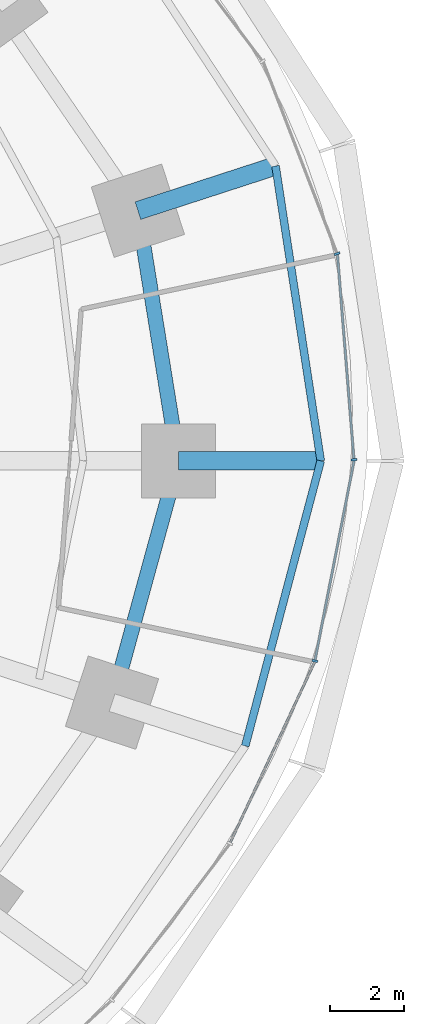
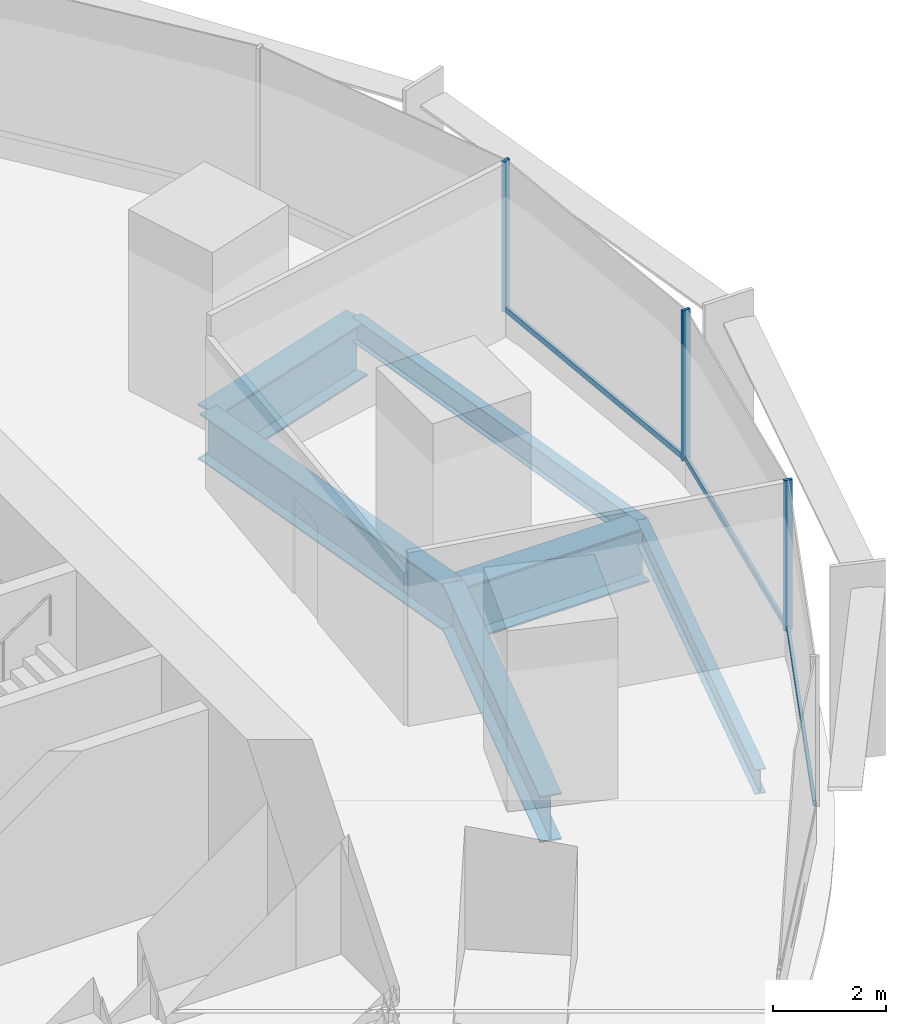
# One storey, part 6 of 15: 6 beams, 6 members, 2 elements without a shape of their own.
"""IFC4 building model written with IfcOpenShell, lengths in metres."""

from ifc_helpers import new_model, si_unit, direction, frame, origin, origin_2d, place, context, subcontext, project, spatial, rectangle, i_section, extrude, material, material_profile, profile_set, type_object, element, aggregate, save


model = new_model("IFC4")

# Units and contexts
model_context = context("Model", 3, precision=1e-05, world=origin(), true_north=direction((0.0, 1.0)))
body_context = subcontext(model_context, "Body", "Model", "MODEL_VIEW")
ifc_project = project(units=[si_unit("LENGTHUNIT", "METRE"), si_unit("AREAUNIT", "SQUARE_METRE"), si_unit("VOLUMEUNIT", "CUBIC_METRE"), si_unit("PLANEANGLEUNIT", "RADIAN"), si_unit("MASSUNIT", "GRAM", prefix="KILO")], contexts=[model_context])

# Site, building, storey
site_placement = place(None, origin())
site = spatial("IfcSite", under=ifc_project, at=site_placement, CompositionType="ELEMENT")
building_placement = place(site_placement, origin())
building = spatial("IfcBuilding", under=site, at=building_placement, Name="Marramba Exchange Tower", CompositionType="ELEMENT")
storey_placement = place(building_placement, frame((0.0, 0.0, 78.39990234375)))
storey = spatial("IfcBuildingStorey", under=building, at=storey_placement, Name="L18", CompositionType="ELEMENT", Elevation=78.39990234375)

# Beams
ifc_material_1 = material(Name="Steel AS/NZS 3679.2 grade 300", Category="steel")
ifc_material_profile_1 = material_profile(ifc_material_1, i_section(OverallWidth=0.5, OverallDepth=1.199951171875, WebThickness=0.01611328125, FlangeThickness=0.0400390625, at=origin_2d()), Name="1200WB455")
ifc_profile_set_1 = profile_set([ifc_material_profile_1], Name="Steel AS/NZS 3679.2 grade 300")
beam_type_1 = type_object("IfcBeamType", Name="Cantilever girder 1200WB455", PredefinedType="BEAM", material=ifc_profile_set_1)
beam_1_placement = place(storey_placement, frame((21.89990234375, 0.0, -0.760009765625), z_axis=(1.0, 0.0, 0.0), x_axis=(0.0, 1.0, 0.0)))
element("IfcBeam", 1, at=beam_1_placement, inside=storey, type_object=beam_type_1, Name="Cantilever girder L18 TC01", PredefinedType="BEAM", context=body_context, shape_type="SweptSolid", body=[
    extrude(i_section(OverallWidth=0.5, OverallDepth=1.199951171875, WebThickness=0.01611328125, FlangeThickness=0.0400390625, at=origin_2d()), origin(), (0.0, 0.0, 1.0), 3.85009765625),
])
beam_2_placement = place(storey_placement, frame((20.808349609375, 6.760986328125, -0.760009765625), z_axis=(0.951058833549, 0.309009862508, 0.0), x_axis=(-0.309009862508, 0.951058833549, 0.0)))
element("IfcBeam", 2, at=beam_2_placement, inside=storey, type_object=beam_type_1, Name="Cantilever girder L18 TC02", PredefinedType="BEAM", context=body_context, shape_type="SweptSolid", body=[
    extrude(i_section(OverallWidth=0.5, OverallDepth=1.199951171875, WebThickness=0.01611328125, FlangeThickness=0.0400390625, at=origin_2d()), origin(), (0.0, 0.0, 1.0), 3.91162109375),
])
ifc_material_profile_2 = material_profile(ifc_material_1, i_section(OverallWidth=0.39990234375, OverallDepth=1.0, WebThickness=0.01611328125, FlangeThickness=0.031982421875, at=origin_2d()), Name="1000WB322")
ifc_profile_set_2 = profile_set([ifc_material_profile_2], Name="Steel AS/NZS 3679.2 grade 300")
beam_type_2 = type_object("IfcBeamType", Name="Ring beam 1000WB322", PredefinedType="SPANDREL", material=ifc_profile_set_2)
beam_3_placement = place(storey_placement, frame((21.89990234375, 0.0, -0.659912109375), z_axis=(-0.159384865399, 0.987216523708, 0.0), x_axis=(-0.987216523708, -0.159384865399, 0.0)))
element("IfcBeam", 3, at=beam_3_placement, inside=storey, type_object=beam_type_2, Name="Ring beam L18 TC01-TC02", PredefinedType="SPANDREL", context=body_context, shape_type="SweptSolid", body=[
    extrude(i_section(OverallWidth=0.39990234375, OverallDepth=1.0, WebThickness=0.01611328125, FlangeThickness=0.031982421875, at=origin_2d()), origin(), (0.0, 0.0, 1.0), 6.8486328125),
])
beam_4_placement = place(storey_placement, frame((20.109375, -6.533935546875, -0.659912109375), z_axis=(0.264291166956, 0.964442937176, 0.0), x_axis=(-0.964442937176, 0.264291166956, 0.0)))
element("IfcBeam", 4, at=beam_4_placement, inside=storey, type_object=beam_type_2, Name="Ring beam L18 TC20-TC01", PredefinedType="SPANDREL", context=body_context, shape_type="SweptSolid", body=[
    extrude(i_section(OverallWidth=0.39990234375, OverallDepth=1.0, WebThickness=0.01611328125, FlangeThickness=0.031982421875, at=origin_2d()), origin(), (0.0, 0.0, 1.0), 6.77490234375),
])
ifc_material_2 = material(Name="Steel AS/NZS 3679.1 grade 300", Category="steel")
ifc_material_profile_3 = material_profile(ifc_material_2, i_section(OverallWidth=0.208984375, OverallDepth=0.528076171875, WebThickness=0.009521484375, FlangeThickness=0.01318359375, FilletRadius=0.013916015625, at=origin_2d()), Name="530UB82.0")
ifc_profile_set_3 = profile_set([ifc_material_profile_3], Name="Steel AS/NZS 3679.1 grade 300")
beam_type_3 = type_object("IfcBeamType", Name="Slab edge beam 530UB82.0", PredefinedType="SPANDREL", material=ifc_profile_set_3)
beam_5_placement = place(storey_placement, frame((25.75, 0.0, -0.423828125), z_axis=(-0.151490591645, 0.988458699513, 0.0), x_axis=(-0.988458699513, -0.151490591645, 0.0)))
element("IfcBeam", 5, at=beam_5_placement, inside=storey, type_object=beam_type_3, Name="Slab edge beam L18 TC01-TC02", PredefinedType="SPANDREL", context=body_context, shape_type="SweptSolid", body=[
    extrude(i_section(OverallWidth=0.208984375, OverallDepth=0.528076171875, WebThickness=0.009521484375, FlangeThickness=0.01318359375, FilletRadius=0.013916015625, at=origin_2d()), origin(), (0.0, 0.0, 1.0), 8.062744140625),
])
beam_6_placement = place(storey_placement, frame((23.709716796875, -7.703857421875, -0.423828125), z_axis=(0.25601296674, 0.966673347549, 0.0), x_axis=(-0.966673347549, 0.25601296674, 0.0)))
element("IfcBeam", 6, at=beam_6_placement, inside=storey, type_object=beam_type_3, Name="Slab edge beam L18 TC20-TC01", PredefinedType="SPANDREL", context=body_context, shape_type="SweptSolid", body=[
    extrude(i_section(OverallWidth=0.208984375, OverallDepth=0.528076171875, WebThickness=0.009521484375, FlangeThickness=0.01318359375, FilletRadius=0.013916015625, at=origin_2d()), origin(), (0.0, 0.0, 1.0), 7.969482421875),
])

# Curtain wall, members
ifc_material_3 = material(Name="Aluminium framing, bronze anodised", Category="aluminium")
curtain_wall_type = type_object("IfcCurtainWallType", Name="Trading floor ribbon curtain wall", PredefinedType="USERDEFINED", material=ifc_material_3)
curtain_wall_1_placement = place(storey_placement, origin())
curtain_wall_1 = element("IfcCurtainWall", 7, at=curtain_wall_1_placement, inside=storey, type_object=curtain_wall_type, Name="Curtain wall CW3 L18 F01-F05", ObjectType="RIBBON CURTAIN WALL", PredefinedType="USERDEFINED")
ifc_material_4 = material(Name="Aluminium mullion, bronze anodised", Category="aluminium")
ifc_material_profile_4 = material_profile(ifc_material_4, rectangle(XDim=0.159912109375, YDim=0.06005859375, at=origin_2d()), Name="CW3 mullion 60x160")
ifc_profile_set_4 = profile_set([ifc_material_profile_4], Name="Aluminium mullion, bronze anodised")
member_type_1 = type_object("IfcMemberType", Name="Trading floor ribbon curtain wall mullion", PredefinedType="MULLION", material=ifc_profile_set_4)
member_1_placement = place(storey_placement, frame((26.647705078125, 0.02978515625, 0.800048828125), z_axis=(0.0, 0.0, 1.0), x_axis=(-0.996772736434, -0.080275225953, 0.0)))
member_1 = element("IfcMember", 8, at=member_1_placement, type_object=member_type_1, Name="CW3 mullion 1", PredefinedType="MULLION", context=body_context, shape_type="SweptSolid", body=[
    extrude(rectangle(XDim=0.159912109375, YDim=0.06005859375, at=origin_2d()), origin(), (0.0, 0.0, 1.0), 3.239990234375),
])
member_2_placement = place(storey_placement, frame((26.190673828125, 5.597412109375, 0.800048828125), z_axis=(0.0, 0.0, 1.0), x_axis=(-0.933135256626, -0.359525510698, 0.0)))
member_2 = element("IfcMember", 9, at=member_2_placement, type_object=member_type_1, Name="CW3 mullion 1", PredefinedType="MULLION", context=body_context, shape_type="SweptSolid", body=[
    extrude(rectangle(XDim=0.159912109375, YDim=0.06005859375, at=origin_2d()), origin(), (0.0, 0.0, 1.0), 3.239990234375),
])

# Curtain wall, member
curtain_wall_2_placement = place(storey_placement, origin())
curtain_wall_2 = element("IfcCurtainWall", 10, at=curtain_wall_2_placement, inside=storey, type_object=curtain_wall_type, Name="Curtain wall CW3 L18 F26-F30", ObjectType="RIBBON CURTAIN WALL", PredefinedType="USERDEFINED")
member_3_placement = place(storey_placement, frame((25.59033203125, -5.40869140625, 0.800048828125), z_axis=(0.0, 0.0, 1.0), x_axis=(-0.981346261612, 0.1922485756, 0.0)))
member_3 = element("IfcMember", 11, at=member_3_placement, type_object=member_type_1, Name="CW3 mullion 1", PredefinedType="MULLION", context=body_context, shape_type="SweptSolid", body=[
    extrude(rectangle(XDim=0.159912109375, YDim=0.06005859375, at=origin_2d()), origin(), (0.0, 0.0, 1.0), 3.239990234375),
])

# Member
ifc_material_5 = material(Name="Aluminium transom, bronze anodised", Category="aluminium")
ifc_material_profile_5 = material_profile(ifc_material_5, rectangle(XDim=0.06005859375, YDim=0.1201171875, at=origin_2d()), Name="CW3 transom 60x120")
ifc_profile_set_5 = profile_set([ifc_material_profile_5], Name="Aluminium transom, bronze anodised")
member_type_2 = type_object("IfcMemberType", Name="Trading floor ribbon curtain wall transom", PredefinedType="USERDEFINED", material=ifc_profile_set_5)
member_4_placement = place(storey_placement, frame((26.645263671875, 0.059814453125, 0.830078125), z_axis=(-0.080299960686, 0.99677074411, 0.0), x_axis=(-0.99677074411, -0.080299960686, 0.0)))
member_4 = element("IfcMember", 12, at=member_4_placement, type_object=member_type_2, Name="CW3 sill transom", ObjectType="TRANSOM", PredefinedType="USERDEFINED", context=body_context, shape_type="SweptSolid", body=[
    extrude(rectangle(XDim=0.06005859375, YDim=0.1201171875, at=origin_2d()), origin(), (0.0, 0.0, 1.0), 5.52734375),
])

aggregate(curtain_wall_1, [member_1, member_4, member_2])

member_5_placement = place(storey_placement, frame((23.306640625, -10.31103515625, 0.830078125), z_axis=(0.423511514213, 0.905890720412, 0.0), x_axis=(-0.905890720412, 0.423511514213, 0.0)))
member_5 = element("IfcMember", 13, at=member_5_placement, type_object=member_type_2, Name="CW3 sill transom", ObjectType="TRANSOM", PredefinedType="USERDEFINED", context=body_context, shape_type="SweptSolid", body=[
    extrude(rectangle(XDim=0.06005859375, YDim=0.1201171875, at=origin_2d()), origin(), (0.0, 0.0, 1.0), 5.37890625),
])

member_6_placement = place(storey_placement, frame((25.59619140625, -5.37939453125, 0.830078125), z_axis=(0.192226081646, 0.981350667975, 0.0), x_axis=(-0.981350667975, 0.192226081646, 0.0)))
member_6 = element("IfcMember", 14, at=member_6_placement, type_object=member_type_2, Name="CW3 sill transom", ObjectType="TRANSOM", PredefinedType="USERDEFINED", context=body_context, shape_type="SweptSolid", body=[
    extrude(rectangle(XDim=0.06005859375, YDim=0.1201171875, at=origin_2d()), origin(), (0.0, 0.0, 1.0), 5.481689453125),
])

aggregate(curtain_wall_2, [member_5, member_3, member_6])

save(model, "model.ifc")
